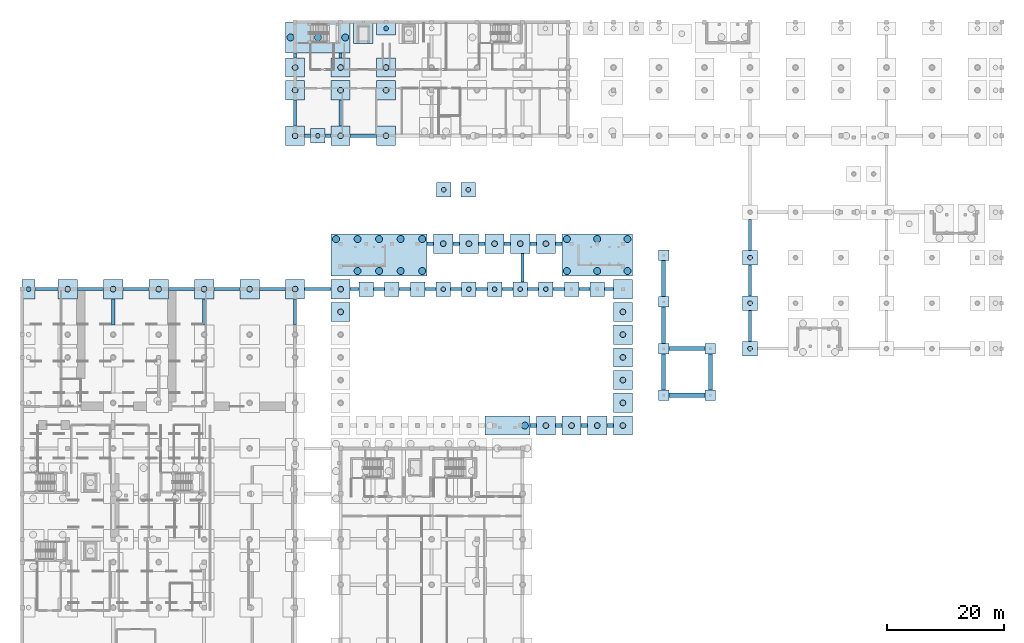
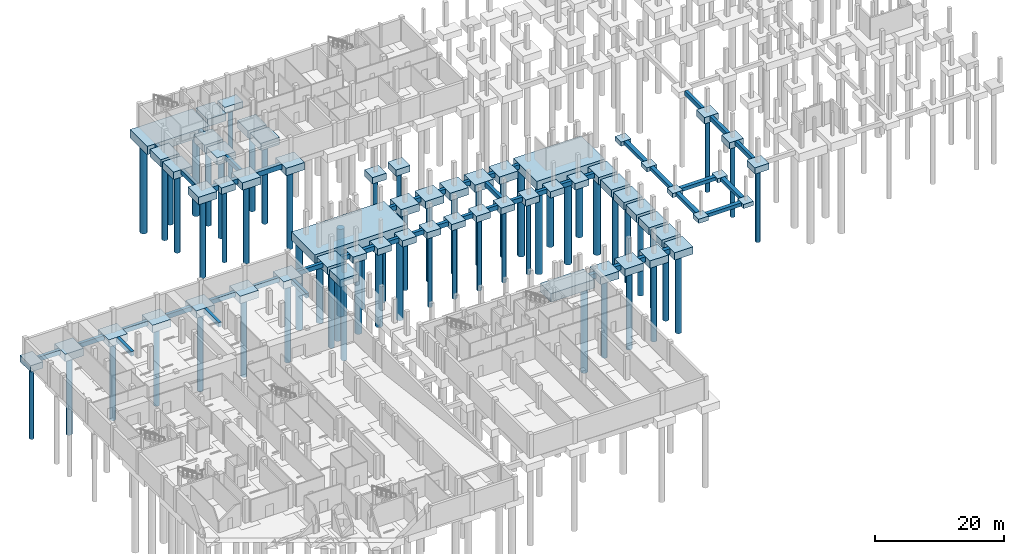
# One storey, part 3 of 24: 109 footings, 63 piles.
"""IFC4 building model written with IfcOpenShell, lengths in metres."""

from ifc_helpers import new_model, si_unit, direction, frame, origin, origin_2d, place, context, subcontext, project, spatial, rectangle, circle, extrude, material, material_profile, profile_set, type_object, element, save


model = new_model("IFC4")

# Units and contexts
model_context = context("Model", 3, precision=1e-05, world=origin(), true_north=direction((0.0, 1.0)))
body_context = subcontext(model_context, "Body", "Model", "MODEL_VIEW")
ifc_project = project(units=[si_unit("LENGTHUNIT", "METRE"), si_unit("AREAUNIT", "SQUARE_METRE"), si_unit("VOLUMEUNIT", "CUBIC_METRE"), si_unit("PLANEANGLEUNIT", "RADIAN"), si_unit("MASSUNIT", "GRAM", prefix="KILO")], contexts=[model_context])

# Site, building, storey
site_placement = place(None, origin())
site = spatial("IfcSite", under=ifc_project, at=site_placement, CompositionType="ELEMENT")
building_placement = place(site_placement, origin())
building = spatial("IfcBuilding", under=site, at=building_placement, Name="Celorna Specialist Clinic", CompositionType="ELEMENT")
storey_placement = place(building_placement, frame((0.0, 0.0, -4.5)))
storey = spatial("IfcBuildingStorey", under=building, at=storey_placement, Name="B01", CompositionType="ELEMENT", Elevation=-4.5)

# Footings
ifc_material = material(Name="Concrete C35/45", Category="concrete")
footing_type_1 = type_object("IfcFootingType", Name="FB-01", PredefinedType="FOOTING_BEAM", material=ifc_material)
footing_1_placement = place(storey_placement, frame((4.175048828125, 70.199951171875, -0.85009765625), z_axis=(0.0, 0.0, 1.0), x_axis=(1.0, 0.0, 0.0)))
element("IfcFooting", 1, at=footing_1_placement, inside=storey, type_object=footing_type_1, Name="Foundation tie beam FB-01 #55", PredefinedType="FOOTING_BEAM", context=body_context, shape_type="SweptSolid", body=[
    extrude(rectangle(XDim=3.949951171875, YDim=0.550048828125, at=origin_2d()), origin(), (0.0, 0.0, 1.0), 0.85009765625),
])
for number, where, z_axis, x_axis, name in (
    (2, (11.699951171875, 70.199951171875, -0.85009765625), (0.0, 0.0, 1.0), (1.0, 0.0, 0.0), "Foundation tie beam FB-01 #56"),
    (3, (19.5, 70.199951171875, -0.85009765625), (0.0, 0.0, 1.0), (1.0, 0.0, 0.0), "Foundation tie beam FB-01 #57"),
    (4, (27.300048828125, 70.199951171875, -0.85009765625), (0.0, 0.0, 1.0), (1.0, 0.0, 0.0), "Foundation tie beam FB-01 #58"),
    (5, (35.10009765625, 70.199951171875, -0.85009765625), (0.0, 0.0, 1.0), (1.0, 0.0, 0.0), "Foundation tie beam FB-01 #59"),
    (6, (42.89990234375, 70.199951171875, -0.85009765625), (0.0, 0.0, 1.0), (1.0, 0.0, 0.0), "Foundation tie beam FB-01 #60"),
    (7, (50.699951171875, 70.199951171875, -0.85009765625), (0.0, 0.0, 1.0), (1.0, 0.0, 0.0), "Foundation tie beam FB-01 #61"),
):
    element("IfcFooting", number, at=place(storey_placement, frame(where, z_axis=z_axis, x_axis=x_axis)), inside=storey, type_object=footing_type_1, Name=name, PredefinedType="FOOTING_BEAM", context=body_context, shape_type="SweptSolid", body=[
        extrude(rectangle(XDim=4.5, YDim=0.550048828125, at=origin_2d()), origin(), (0.0, 0.0, 1.0), 0.85009765625),
    ])
footing_2_placement = place(storey_placement, frame((57.0, 70.199951171875, -0.85009765625), z_axis=(0.0, 0.0, 1.0), x_axis=(1.0, 0.0, 0.0)))
element("IfcFooting", 8, at=footing_2_placement, inside=storey, type_object=footing_type_1, Name="Foundation tie beam FB-01 #62", PredefinedType="FOOTING_BEAM", context=body_context, shape_type="SweptSolid", body=[
    extrude(rectangle(XDim=1.5, YDim=0.550048828125, at=origin_2d()), origin(), (0.0, 0.0, 1.0), 0.85009765625),
])
for number, where, z_axis, x_axis, name in (
    (9, (61.199951171875, 70.199951171875, -0.85009765625), (0.0, 0.0, 1.0), (1.0, 0.0, 0.0), "Foundation tie beam FB-01 #63"),
    (10, (65.60009765625, 70.199951171875, -0.85009765625), (0.0, 0.0, 1.0), (1.0, 0.0, 0.0), "Foundation tie beam FB-01 #64"),
    (11, (70.0, 70.199951171875, -0.85009765625), (0.0, 0.0, 1.0), (1.0, 0.0, 0.0), "Foundation tie beam FB-01 #65"),
    (12, (74.39990234375, 70.199951171875, -0.85009765625), (0.0, 0.0, 1.0), (1.0, 0.0, 0.0), "Foundation tie beam FB-01 #66"),
    (13, (78.800048828125, 70.199951171875, -0.85009765625), (0.0, 0.0, 1.0), (1.0, 0.0, 0.0), "Foundation tie beam FB-01 #67"),
    (14, (83.199951171875, 70.199951171875, -0.85009765625), (0.0, 0.0, 1.0), (1.0, 0.0, 0.0), "Foundation tie beam FB-01 #68"),
    (15, (87.60009765625, 70.199951171875, -0.85009765625), (0.0, 0.0, 1.0), (1.0, 0.0, 0.0), "Foundation tie beam FB-01 #69"),
    (16, (92.0, 70.199951171875, -0.85009765625), (0.0, 0.0, 1.0), (1.0, 0.0, 0.0), "Foundation tie beam FB-01 #70"),
    (17, (96.39990234375, 70.199951171875, -0.85009765625), (0.0, 0.0, 1.0), (1.0, 0.0, 0.0), "Foundation tie beam FB-01 #71"),
):
    element("IfcFooting", number, at=place(storey_placement, frame(where, z_axis=z_axis, x_axis=x_axis)), inside=storey, type_object=footing_type_1, Name=name, PredefinedType="FOOTING_BEAM", context=body_context, shape_type="SweptSolid", body=[
        extrude(rectangle(XDim=1.89990234375, YDim=0.550048828125, at=origin_2d()), origin(), (0.0, 0.0, 1.0), 0.85009765625),
    ])
footing_3_placement = place(storey_placement, frame((100.60009765625, 70.199951171875, -0.85009765625), z_axis=(0.0, 0.0, 1.0), x_axis=(1.0, 0.0, 0.0)))
element("IfcFooting", 18, at=footing_3_placement, inside=storey, type_object=footing_type_1, Name="Foundation tie beam FB-01 #72", PredefinedType="FOOTING_BEAM", context=body_context, shape_type="SweptSolid", body=[
    extrude(rectangle(XDim=1.5, YDim=0.550048828125, at=origin_2d()), origin(), (0.0, 0.0, 1.0), 0.85009765625),
])
for number, where, z_axis, x_axis, name in (
    (19, (70.0, 78.0, -0.85009765625), (0.0, 0.0, 1.0), (1.0, 0.0, 0.0), "Foundation tie beam FB-01 #73"),
    (20, (74.39990234375, 78.0, -0.85009765625), (0.0, 0.0, 1.0), (1.0, 0.0, 0.0), "Foundation tie beam FB-01 #74"),
    (21, (78.800048828125, 78.0, -0.85009765625), (0.0, 0.0, 1.0), (1.0, 0.0, 0.0), "Foundation tie beam FB-01 #75"),
    (22, (83.199951171875, 78.0, -0.85009765625), (0.0, 0.0, 1.0), (1.0, 0.0, 0.0), "Foundation tie beam FB-01 #76"),
    (23, (87.60009765625, 78.0, -0.85009765625), (0.0, 0.0, 1.0), (1.0, 0.0, 0.0), "Foundation tie beam FB-01 #77"),
    (24, (92.0, 78.0, -0.85009765625), (0.0, 0.0, 1.0), (1.0, 0.0, 0.0), "Foundation tie beam FB-01 #78"),
):
    element("IfcFooting", number, at=place(storey_placement, frame(where, z_axis=z_axis, x_axis=x_axis)), inside=storey, type_object=footing_type_1, Name=name, PredefinedType="FOOTING_BEAM", context=body_context, shape_type="SweptSolid", body=[
        extrude(rectangle(XDim=1.10009765625, YDim=0.550048828125, at=origin_2d()), origin(), (0.0, 0.0, 1.0), 0.85009765625),
    ])
for number, where, z_axis, x_axis, name in (
    (25, (15.60009765625, 66.300048828125, -0.85009765625), (0.0, 0.0, 1.0), (0.0, 1.0, 0.0), "Foundation tie beam FB-01 #107"),
    (26, (31.199951171875, 66.300048828125, -0.85009765625), (0.0, 0.0, 1.0), (0.0, 1.0, 0.0), "Foundation tie beam FB-01 #114"),
    (27, (46.800048828125, 66.300048828125, -0.85009765625), (0.0, 0.0, 1.0), (0.0, 1.0, 0.0), "Foundation tie beam FB-01 #121"),
    (28, (46.800048828125, 100.39990234375, -0.85009765625), (0.0, 0.0, 1.0), (0.0, 1.0, 0.0), "Foundation tie beam FB-01 #122"),
):
    element("IfcFooting", number, at=place(storey_placement, frame(where, z_axis=z_axis, x_axis=x_axis)), inside=storey, type_object=footing_type_1, Name=name, PredefinedType="FOOTING_BEAM", context=body_context, shape_type="SweptSolid", body=[
        extrude(rectangle(XDim=4.5, YDim=0.550048828125, at=origin_2d()), origin(), (0.0, 0.0, 1.0), 0.85009765625),
    ])
footing_4_placement = place(storey_placement, frame((46.800048828125, 110.284912109375, -0.85009765625), z_axis=(0.0, 0.0, 1.0), x_axis=(0.0, 1.0, 0.0)))
element("IfcFooting", 29, at=footing_4_placement, inside=storey, type_object=footing_type_1, Name="Foundation tie beam FB-01 #123", PredefinedType="FOOTING_BEAM", context=body_context, shape_type="SweptSolid", body=[
    extrude(rectangle(XDim=0.8701171875, YDim=0.550048828125, at=origin_2d()), origin(), (0.0, 0.0, 1.0), 0.85009765625),
])
footing_5_placement = place(storey_placement, frame((54.60009765625, 100.39990234375, -0.85009765625), z_axis=(0.0, 0.0, 1.0), x_axis=(0.0, 1.0, 0.0)))
element("IfcFooting", 30, at=footing_5_placement, inside=storey, type_object=footing_type_1, Name="Foundation tie beam FB-01 #127", PredefinedType="FOOTING_BEAM", context=body_context, shape_type="SweptSolid", body=[
    extrude(rectangle(XDim=4.5, YDim=0.550048828125, at=origin_2d()), origin(), (0.0, 0.0, 1.0), 0.85009765625),
])
footing_6_placement = place(storey_placement, frame((54.60009765625, 110.284912109375, -0.85009765625), z_axis=(0.0, 0.0, 1.0), x_axis=(0.0, 1.0, 0.0)))
element("IfcFooting", 31, at=footing_6_placement, inside=storey, type_object=footing_type_1, Name="Foundation tie beam FB-01 #128", PredefinedType="FOOTING_BEAM", context=body_context, shape_type="SweptSolid", body=[
    extrude(rectangle(XDim=0.8701171875, YDim=0.550048828125, at=origin_2d()), origin(), (0.0, 0.0, 1.0), 0.85009765625),
])
footing_7_placement = place(storey_placement, frame((85.800048828125, 73.89990234375, -0.85009765625), z_axis=(0.0, 0.0, 1.0), x_axis=(0.0, 1.0, 0.0)))
element("IfcFooting", 32, at=footing_7_placement, inside=storey, type_object=footing_type_1, Name="Foundation tie beam FB-01 #137", PredefinedType="FOOTING_BEAM", context=body_context, shape_type="SweptSolid", body=[
    extrude(rectangle(XDim=4.89990234375, YDim=0.550048828125, at=origin_2d()), origin(), (0.0, 0.0, 1.0), 0.85009765625),
])
for number, where, z_axis, x_axis, name in (
    (33, (124.800048828125, 63.89990234375, -0.85009765625), (0.0, 0.0, 1.0), (0.0, 1.0, 0.0), "Foundation tie beam FB-01 #140"),
    (34, (124.800048828125, 71.699951171875, -0.85009765625), (0.0, 0.0, 1.0), (0.0, 1.0, 0.0), "Foundation tie beam FB-01 #141"),
    (35, (124.800048828125, 79.5, -0.85009765625), (0.0, 0.0, 1.0), (0.0, 1.0, 0.0), "Foundation tie beam FB-01 #142"),
):
    element("IfcFooting", number, at=place(storey_placement, frame(where, z_axis=z_axis, x_axis=x_axis)), inside=storey, type_object=footing_type_1, Name=name, PredefinedType="FOOTING_BEAM", context=body_context, shape_type="SweptSolid", body=[
        extrude(rectangle(XDim=5.300048828125, YDim=0.550048828125, at=origin_2d()), origin(), (0.0, 0.0, 1.0), 0.85009765625),
    ])
footing_type_2 = type_object("IfcFootingType", Name="FB-02", PredefinedType="FOOTING_BEAM", material=ifc_material)
for number, where, z_axis, x_axis, name in (
    (36, (87.60009765625, 46.800048828125, -0.9501953125), (0.0, 0.0, 1.0), (1.0, 0.0, 0.0), "Foundation tie beam FB-02 #47"),
    (37, (92.0, 46.800048828125, -0.9501953125), (0.0, 0.0, 1.0), (1.0, 0.0, 0.0), "Foundation tie beam FB-02 #48"),
    (38, (96.39990234375, 46.800048828125, -0.9501953125), (0.0, 0.0, 1.0), (1.0, 0.0, 0.0), "Foundation tie beam FB-02 #49"),
    (39, (100.800048828125, 46.800048828125, -0.9501953125), (0.0, 0.0, 1.0), (1.0, 0.0, 0.0), "Foundation tie beam FB-02 #50"),
):
    element("IfcFooting", number, at=place(storey_placement, frame(where, z_axis=z_axis, x_axis=x_axis)), inside=storey, type_object=footing_type_2, Name=name, PredefinedType="FOOTING_BEAM", context=body_context, shape_type="SweptSolid", body=[
        extrude(rectangle(XDim=1.10009765625, YDim=0.64990234375, at=origin_2d()), origin(), (0.0, 0.0, 1.0), 0.949951171875),
    ])
for number, where, z_axis, x_axis, name in (
    (40, (48.949951171875, 96.5, -0.9501953125), (0.0, 0.0, 1.0), (1.0, 0.0, 0.0), "Foundation tie beam FB-02 #83"),
    (41, (52.449951171875, 96.5, -0.9501953125), (0.0, 0.0, 1.0), (1.0, 0.0, 0.0), "Foundation tie beam FB-02 #84"),
):
    element("IfcFooting", number, at=place(storey_placement, frame(where, z_axis=z_axis, x_axis=x_axis)), inside=storey, type_object=footing_type_2, Name=name, PredefinedType="FOOTING_BEAM", context=body_context, shape_type="SweptSolid", body=[
        extrude(rectangle(XDim=1.0, YDim=0.64990234375, at=origin_2d()), origin(), (0.0, 0.0, 1.0), 0.949951171875),
    ])
footing_8_placement = place(storey_placement, frame((58.5, 96.5, -0.9501953125), z_axis=(0.0, 0.0, 1.0), x_axis=(1.0, 0.0, 0.0)))
element("IfcFooting", 42, at=footing_8_placement, inside=storey, type_object=footing_type_2, Name="Foundation tie beam FB-02 #85", PredefinedType="FOOTING_BEAM", context=body_context, shape_type="SweptSolid", body=[
    extrude(rectangle(XDim=4.5, YDim=0.64990234375, at=origin_2d()), origin(), (0.0, 0.0, 1.0), 0.949951171875),
])

# Piles
ifc_material_profile_1 = material_profile(ifc_material, circle(Radius=0.39990234375, at=origin_2d()), Name="BORED PILE 800")
ifc_profile_set_1 = profile_set([ifc_material_profile_1], Name="Concrete C35/45")
pile_type_1 = type_object("IfcPileType", Name="P1", PredefinedType="BORED", material=ifc_profile_set_1)
for number, where, z_axis, x_axis, name in (
    (43, (1.10009765625, 70.199951171875, -1.10009765625), (0.0, 0.0, -1.0), (1.0, 0.0, 0.0), "Bored pile P1 #11"),
    (44, (50.699951171875, 96.5, -1.10009765625), (0.0, 0.0, -1.0), (1.0, 0.0, 0.0), "Bored pile P1 #95"),
    (45, (62.39990234375, 114.89990234375, -1.10009765625), (0.0, 0.0, -1.0), (1.0, 0.0, 0.0), "Bored pile P1 #132"),
    (46, (72.199951171875, 70.199951171875, -1.10009765625), (0.0, 0.0, -1.0), (1.0, 0.0, 0.0), "Bored pile P1 #148"),
    (47, (72.300048828125, 87.25, -1.10009765625), (0.0, 0.0, -1.0), (1.0, 0.0, 0.0), "Bored pile P1 #149"),
    (48, (76.5, 87.25, -1.10009765625), (0.0, 0.0, -1.0), (1.0, 0.0, 0.0), "Bored pile P1 #154"),
    (49, (76.60009765625, 70.199951171875, -1.10009765625), (0.0, 0.0, -1.0), (1.0, 0.0, 0.0), "Bored pile P1 #156"),
    (50, (81.0, 70.199951171875, -1.10009765625), (0.0, 0.0, -1.0), (1.0, 0.0, 0.0), "Bored pile P1 #167"),
    (51, (85.39990234375, 70.199951171875, -1.10009765625), (0.0, 0.0, -1.0), (1.0, 0.0, 0.0), "Bored pile P1 #177"),
    (52, (89.800048828125, 70.199951171875, -1.10009765625), (0.0, 0.0, -1.0), (1.0, 0.0, 0.0), "Bored pile P1 #184"),
    (53, (124.800048828125, 60.0, -1.10009765625), (0.0, 0.0, -1.0), (1.0, 0.0, 0.0), "Bored pile P1 #224"),
    (54, (124.800048828125, 67.800048828125, -1.10009765625), (0.0, 0.0, -1.0), (1.0, 0.0, 0.0), "Bored pile P1 #225"),
    (55, (124.800048828125, 75.60009765625, -1.10009765625), (0.0, 0.0, -1.0), (1.0, 0.0, 0.0), "Bored pile P1 #226"),
):
    element("IfcPile", number, at=place(storey_placement, frame(where, z_axis=z_axis, x_axis=x_axis)), inside=storey, type_object=pile_type_1, Name=name, PredefinedType="BORED", context=body_context, shape_type="SweptSolid", body=[
        extrude(circle(Radius=0.39990234375, at=origin_2d()), origin(), (0.0, 0.0, 1.0), 13.89990234375),
    ])
ifc_material_profile_2 = material_profile(ifc_material, circle(Radius=0.5, at=origin_2d()), Name="BORED PILE 1000")
ifc_profile_set_2 = profile_set([ifc_material_profile_2], Name="Concrete C35/45")
pile_type_2 = type_object("IfcPileType", Name="P2", PredefinedType="BORED", material=ifc_profile_set_2)
for number, where, z_axis, x_axis, name in (
    (56, (7.800048828125, 70.199951171875, -1.300048828125), (0.0, 0.0, -1.0), (1.0, 0.0, 0.0), "Bored pile P2 #22"),
    (57, (15.60009765625, 70.199951171875, -1.300048828125), (0.0, 0.0, -1.0), (1.0, 0.0, 0.0), "Bored pile P2 #35"),
    (58, (23.39990234375, 70.199951171875, -1.300048828125), (0.0, 0.0, -1.0), (1.0, 0.0, 0.0), "Bored pile P2 #53"),
    (59, (31.199951171875, 70.199951171875, -1.300048828125), (0.0, 0.0, -1.0), (1.0, 0.0, 0.0), "Bored pile P2 #65"),
    (60, (39.0, 70.199951171875, -1.300048828125), (0.0, 0.0, -1.0), (1.0, 0.0, 0.0), "Bored pile P2 #76"),
    (61, (46.800048828125, 70.199951171875, -1.300048828125), (0.0, 0.0, -1.0), (1.0, 0.0, 0.0), "Bored pile P2 #88"),
    (62, (46.800048828125, 96.5, -1.300048828125), (0.0, 0.0, -1.0), (1.0, 0.0, 0.0), "Bored pile P2 #89"),
    (63, (46.800048828125, 104.300048828125, -1.300048828125), (0.0, 0.0, -1.0), (1.0, 0.0, 0.0), "Bored pile P2 #90"),
    (64, (46.800048828125, 108.199951171875, -1.300048828125), (0.0, 0.0, -1.0), (1.0, 0.0, 0.0), "Bored pile P2 #91"),
    (65, (54.60009765625, 66.300048828125, -1.300048828125), (0.0, 0.0, -1.0), (1.0, 0.0, 0.0), "Bored pile P2 #109"),
    (66, (54.60009765625, 70.199951171875, -1.300048828125), (0.0, 0.0, -1.0), (1.0, 0.0, 0.0), "Bored pile P2 #110"),
    (67, (54.60009765625, 96.5, -1.300048828125), (0.0, 0.0, -1.0), (1.0, 0.0, 0.0), "Bored pile P2 #120"),
    (68, (54.60009765625, 104.300048828125, -1.300048828125), (0.0, 0.0, -1.0), (1.0, 0.0, 0.0), "Bored pile P2 #121"),
    (69, (54.60009765625, 108.199951171875, -1.300048828125), (0.0, 0.0, -1.0), (1.0, 0.0, 0.0), "Bored pile P2 #122"),
    (70, (62.39990234375, 96.5, -1.300048828125), (0.0, 0.0, -1.0), (1.0, 0.0, 0.0), "Bored pile P2 #129"),
    (71, (62.39990234375, 104.300048828125, -1.300048828125), (0.0, 0.0, -1.0), (1.0, 0.0, 0.0), "Bored pile P2 #130"),
    (72, (62.39990234375, 108.199951171875, -1.300048828125), (0.0, 0.0, -1.0), (1.0, 0.0, 0.0), "Bored pile P2 #131"),
    (73, (72.199951171875, 78.0, -1.300048828125), (0.0, 0.0, -1.0), (1.0, 0.0, 0.0), "Bored pile P2 #147"),
    (74, (76.60009765625, 78.0, -1.300048828125), (0.0, 0.0, -1.0), (1.0, 0.0, 0.0), "Bored pile P2 #153"),
    (75, (81.0, 78.0, -1.300048828125), (0.0, 0.0, -1.0), (1.0, 0.0, 0.0), "Bored pile P2 #166"),
    (76, (85.39990234375, 78.0, -1.300048828125), (0.0, 0.0, -1.0), (1.0, 0.0, 0.0), "Bored pile P2 #172"),
    (77, (89.800048828125, 46.800048828125, -1.300048828125), (0.0, 0.0, -1.0), (1.0, 0.0, 0.0), "Bored pile P2 #181"),
    (78, (89.800048828125, 78.0, -1.300048828125), (0.0, 0.0, -1.0), (1.0, 0.0, 0.0), "Bored pile P2 #182"),
    (79, (94.199951171875, 46.800048828125, -1.300048828125), (0.0, 0.0, -1.0), (1.0, 0.0, 0.0), "Bored pile P2 #189"),
    (80, (98.60009765625, 46.800048828125, -1.300048828125), (0.0, 0.0, -1.0), (1.0, 0.0, 0.0), "Bored pile P2 #198"),
    (81, (103.0, 46.800048828125, -1.300048828125), (0.0, 0.0, -1.0), (1.0, 0.0, 0.0), "Bored pile P2 #203"),
    (82, (103.0, 50.699951171875, -1.300048828125), (0.0, 0.0, -1.0), (1.0, 0.0, 0.0), "Bored pile P2 #204"),
    (83, (103.0, 54.60009765625, -1.300048828125), (0.0, 0.0, -1.0), (1.0, 0.0, 0.0), "Bored pile P2 #205"),
    (84, (103.0, 58.5, -1.300048828125), (0.0, 0.0, -1.0), (1.0, 0.0, 0.0), "Bored pile P2 #206"),
    (85, (103.0, 62.39990234375, -1.300048828125), (0.0, 0.0, -1.0), (1.0, 0.0, 0.0), "Bored pile P2 #207"),
    (86, (103.0, 66.300048828125, -1.300048828125), (0.0, 0.0, -1.0), (1.0, 0.0, 0.0), "Bored pile P2 #208"),
):
    element("IfcPile", number, at=place(storey_placement, frame(where, z_axis=z_axis, x_axis=x_axis)), inside=storey, type_object=pile_type_2, Name=name, PredefinedType="BORED", context=body_context, shape_type="SweptSolid", body=[
        extrude(circle(Radius=0.5, at=origin_2d()), origin(), (0.0, 0.0, 1.0), 15.199951171875),
    ])
ifc_material_profile_3 = material_profile(ifc_material, circle(Radius=0.60009765625, at=origin_2d()), Name="BORED PILE 1200")
ifc_profile_set_3 = profile_set([ifc_material_profile_3], Name="Concrete C35/45")
pile_type_3 = type_object("IfcPileType", Name="P3", PredefinedType="BORED", material=ifc_profile_set_3)
for number, where, z_axis, x_axis, name in (
    (87, (46.010009765625, 113.360107421875, -1.5), (0.0, 0.0, -1.0), (1.0, 0.0, 0.0), "Bored pile P3 #92"),
    (88, (50.699951171875, 113.360107421875, -1.5), (0.0, 0.0, -1.0), (1.0, 0.0, 0.0), "Bored pile P3 #93"),
    (89, (55.389892578125, 113.360107421875, -1.5), (0.0, 0.0, -1.0), (1.0, 0.0, 0.0), "Bored pile P3 #94"),
    (90, (53.81005859375, 78.7900390625, -1.5), (0.0, 0.0, -1.0), (1.0, 0.0, 0.0), "Bored pile P3 #111"),
    (91, (57.5048828125, 73.31005859375, -1.5), (0.0, 0.0, -1.0), (1.0, 0.0, 0.0), "Bored pile P3 #112"),
    (92, (57.5048828125, 78.7900390625, -1.5), (0.0, 0.0, -1.0), (1.0, 0.0, 0.0), "Bored pile P3 #113"),
    (93, (61.199951171875, 73.31005859375, -1.5), (0.0, 0.0, -1.0), (1.0, 0.0, 0.0), "Bored pile P3 #114"),
    (94, (61.199951171875, 78.7900390625, -1.5), (0.0, 0.0, -1.0), (1.0, 0.0, 0.0), "Bored pile P3 #115"),
    (95, (64.89501953125, 73.31005859375, -1.5), (0.0, 0.0, -1.0), (1.0, 0.0, 0.0), "Bored pile P3 #116"),
    (96, (64.89501953125, 78.7900390625, -1.5), (0.0, 0.0, -1.0), (1.0, 0.0, 0.0), "Bored pile P3 #117"),
    (97, (68.590087890625, 73.31005859375, -1.5), (0.0, 0.0, -1.0), (1.0, 0.0, 0.0), "Bored pile P3 #118"),
    (98, (68.590087890625, 78.7900390625, -1.5), (0.0, 0.0, -1.0), (1.0, 0.0, 0.0), "Bored pile P3 #119"),
    (99, (86.18994140625, 46.800048828125, -1.5), (0.0, 0.0, -1.0), (1.0, 0.0, 0.0), "Bored pile P3 #165"),
    (100, (93.409912109375, 73.31005859375, -1.5), (0.0, 0.0, -1.0), (1.0, 0.0, 0.0), "Bored pile P3 #190"),
    (101, (93.409912109375, 78.7900390625, -1.5), (0.0, 0.0, -1.0), (1.0, 0.0, 0.0), "Bored pile P3 #191"),
    (102, (98.60009765625, 73.31005859375, -1.5), (0.0, 0.0, -1.0), (1.0, 0.0, 0.0), "Bored pile P3 #192"),
    (103, (98.60009765625, 78.7900390625, -1.5), (0.0, 0.0, -1.0), (1.0, 0.0, 0.0), "Bored pile P3 #193"),
    (104, (103.7900390625, 73.31005859375, -1.5), (0.0, 0.0, -1.0), (1.0, 0.0, 0.0), "Bored pile P3 #194"),
    (105, (103.7900390625, 78.7900390625, -1.5), (0.0, 0.0, -1.0), (1.0, 0.0, 0.0), "Bored pile P3 #195"),
):
    element("IfcPile", number, at=place(storey_placement, frame(where, z_axis=z_axis, x_axis=x_axis)), inside=storey, type_object=pile_type_3, Name=name, PredefinedType="BORED", context=body_context, shape_type="SweptSolid", body=[
        extrude(circle(Radius=0.60009765625, at=origin_2d()), origin(), (0.0, 0.0, 1.0), 16.5),
    ])

# Footings
footing_type_3 = type_object("IfcFootingType", Name="PC-02", PredefinedType="PILE_CAP", material=ifc_material)
footing_9_placement = place(storey_placement, frame((1.10009765625, 70.199951171875, -1.2001953125), z_axis=(0.0, 0.0, 1.0), x_axis=(1.0, 0.0, 0.0)))
element("IfcFooting", 106, at=footing_9_placement, inside=storey, type_object=footing_type_3, Name="Pile cap PC-02 #10", PredefinedType="PILE_CAP", context=body_context, shape_type="SweptSolid", body=[
    extrude(rectangle(XDim=2.199951171875, YDim=3.300048828125, at=origin_2d()), origin(), (0.0, 0.0, 1.0), 1.199951171875),
])
footing_10_placement = place(storey_placement, frame((62.39990234375, 114.89990234375, -1.2001953125), z_axis=(0.0, 0.0, 1.0), x_axis=(1.0, 0.0, 0.0)))
element("IfcFooting", 107, at=footing_10_placement, inside=storey, type_object=footing_type_3, Name="Pile cap PC-02 #107", PredefinedType="PILE_CAP", context=body_context, shape_type="SweptSolid", body=[
    extrude(rectangle(XDim=3.300048828125, YDim=2.199951171875, at=origin_2d()), origin(), (0.0, 0.0, 1.0), 1.199951171875),
])
footing_type_4 = type_object("IfcFootingType", Name="PC-08", PredefinedType="PILE_CAP", material=ifc_material)
for number, where, z_axis, x_axis, name in (
    (108, (7.800048828125, 70.199951171875, -1.39990234375), (0.0, 0.0, 1.0), (1.0, 0.0, 0.0), "Pile cap PC-08 #20"),
    (109, (15.60009765625, 70.199951171875, -1.39990234375), (0.0, 0.0, 1.0), (1.0, 0.0, 0.0), "Pile cap PC-08 #33"),
    (110, (23.39990234375, 70.199951171875, -1.39990234375), (0.0, 0.0, 1.0), (1.0, 0.0, 0.0), "Pile cap PC-08 #44"),
    (111, (31.199951171875, 70.199951171875, -1.39990234375), (0.0, 0.0, 1.0), (1.0, 0.0, 0.0), "Pile cap PC-08 #54"),
    (112, (39.0, 70.199951171875, -1.39990234375), (0.0, 0.0, 1.0), (1.0, 0.0, 0.0), "Pile cap PC-08 #65"),
    (113, (46.800048828125, 70.199951171875, -1.39990234375), (0.0, 0.0, 1.0), (1.0, 0.0, 0.0), "Pile cap PC-08 #76"),
    (114, (46.800048828125, 96.5, -1.39990234375), (0.0, 0.0, 1.0), (1.0, 0.0, 0.0), "Pile cap PC-08 #77"),
    (115, (46.800048828125, 104.300048828125, -1.39990234375), (0.0, 0.0, 1.0), (1.0, 0.0, 0.0), "Pile cap PC-08 #78"),
    (116, (46.800048828125, 108.199951171875, -1.39990234375), (0.0, 0.0, 1.0), (1.0, 0.0, 0.0), "Pile cap PC-08 #79"),
    (117, (54.60009765625, 66.300048828125, -1.39990234375), (0.0, 0.0, 1.0), (1.0, 0.0, 0.0), "Pile cap PC-08 #91"),
    (118, (54.60009765625, 70.199951171875, -1.39990234375), (0.0, 0.0, 1.0), (1.0, 0.0, 0.0), "Pile cap PC-08 #92"),
    (119, (54.60009765625, 96.5, -1.39990234375), (0.0, 0.0, 1.0), (1.0, 0.0, 0.0), "Pile cap PC-08 #94"),
    (120, (54.60009765625, 104.300048828125, -1.39990234375), (0.0, 0.0, 1.0), (1.0, 0.0, 0.0), "Pile cap PC-08 #95"),
    (121, (54.60009765625, 108.199951171875, -1.39990234375), (0.0, 0.0, 1.0), (1.0, 0.0, 0.0), "Pile cap PC-08 #96"),
    (122, (62.39990234375, 96.5, -1.39990234375), (0.0, 0.0, 1.0), (1.0, 0.0, 0.0), "Pile cap PC-08 #104"),
    (123, (62.39990234375, 104.300048828125, -1.39990234375), (0.0, 0.0, 1.0), (1.0, 0.0, 0.0), "Pile cap PC-08 #105"),
    (124, (62.39990234375, 108.199951171875, -1.39990234375), (0.0, 0.0, 1.0), (1.0, 0.0, 0.0), "Pile cap PC-08 #106"),
    (125, (72.199951171875, 78.0, -1.39990234375), (0.0, 0.0, 1.0), (1.0, 0.0, 0.0), "Pile cap PC-08 #121"),
    (126, (76.60009765625, 78.0, -1.39990234375), (0.0, 0.0, 1.0), (1.0, 0.0, 0.0), "Pile cap PC-08 #126"),
    (127, (81.0, 78.0, -1.39990234375), (0.0, 0.0, 1.0), (1.0, 0.0, 0.0), "Pile cap PC-08 #137"),
    (128, (85.39990234375, 78.0, -1.39990234375), (0.0, 0.0, 1.0), (1.0, 0.0, 0.0), "Pile cap PC-08 #142"),
    (129, (89.800048828125, 46.800048828125, -1.39990234375), (0.0, 0.0, 1.0), (1.0, 0.0, 0.0), "Pile cap PC-08 #151"),
    (130, (89.800048828125, 78.0, -1.39990234375), (0.0, 0.0, 1.0), (1.0, 0.0, 0.0), "Pile cap PC-08 #152"),
    (131, (94.199951171875, 46.800048828125, -1.39990234375), (0.0, 0.0, 1.0), (1.0, 0.0, 0.0), "Pile cap PC-08 #159"),
    (132, (98.60009765625, 46.800048828125, -1.39990234375), (0.0, 0.0, 1.0), (1.0, 0.0, 0.0), "Pile cap PC-08 #164"),
    (133, (103.0, 46.800048828125, -1.39990234375), (0.0, 0.0, 1.0), (1.0, 0.0, 0.0), "Pile cap PC-08 #170"),
    (134, (103.0, 50.699951171875, -1.39990234375), (0.0, 0.0, 1.0), (1.0, 0.0, 0.0), "Pile cap PC-08 #171"),
    (135, (103.0, 54.60009765625, -1.39990234375), (0.0, 0.0, 1.0), (1.0, 0.0, 0.0), "Pile cap PC-08 #172"),
    (136, (103.0, 58.5, -1.39990234375), (0.0, 0.0, 1.0), (1.0, 0.0, 0.0), "Pile cap PC-08 #173"),
    (137, (103.0, 62.39990234375, -1.39990234375), (0.0, 0.0, 1.0), (1.0, 0.0, 0.0), "Pile cap PC-08 #174"),
    (138, (103.0, 66.300048828125, -1.39990234375), (0.0, 0.0, 1.0), (1.0, 0.0, 0.0), "Pile cap PC-08 #175"),
    (139, (103.0, 70.199951171875, -1.39990234375), (0.0, 0.0, 1.0), (1.0, 0.0, 0.0), "Pile cap PC-08 #176"),
):
    element("IfcFooting", number, at=place(storey_placement, frame(where, z_axis=z_axis, x_axis=x_axis)), inside=storey, type_object=footing_type_4, Name=name, PredefinedType="PILE_CAP", context=body_context, shape_type="SweptSolid", body=[
        extrude(rectangle(XDim=3.300048828125, YDim=3.300048828125, at=origin_2d()), origin(), (0.0, 0.0, 1.0), 1.39990234375),
    ])
footing_type_5 = type_object("IfcFootingType", Name="PC-20", PredefinedType="PILE_CAP", material=ifc_material)
footing_11_placement = place(storey_placement, frame((50.699951171875, 113.360107421875, -1.60009765625), z_axis=(0.0, 0.0, 1.0), x_axis=(1.0, 0.0, 0.0)))
element("IfcFooting", 140, at=footing_11_placement, inside=storey, type_object=footing_type_5, Name="Pile cap PC-20 #80", PredefinedType="PILE_CAP", context=body_context, shape_type="SweptSolid", body=[
    extrude(rectangle(XDim=11.10009765625, YDim=5.280029296875, at=origin_2d()), origin(), (0.0, 0.0, 1.0), 1.60009765625),
])
footing_type_6 = type_object("IfcFootingType", Name="PC-21", PredefinedType="PILE_CAP", material=ifc_material)
for number, where, z_axis, x_axis, name in (
    (141, (50.699951171875, 96.5, -1.2001953125), (0.0, 0.0, 1.0), (1.0, 0.0, 0.0), "Pile cap PC-21 #81"),
    (142, (59.0, 70.199951171875, -1.2001953125), (0.0, 0.0, 1.0), (1.0, 0.0, 0.0), "Pile cap PC-21 #99"),
    (143, (63.39990234375, 70.199951171875, -1.2001953125), (0.0, 0.0, 1.0), (1.0, 0.0, 0.0), "Pile cap PC-21 #109"),
    (144, (67.800048828125, 70.199951171875, -1.2001953125), (0.0, 0.0, 1.0), (1.0, 0.0, 0.0), "Pile cap PC-21 #113"),
    (145, (72.199951171875, 70.199951171875, -1.2001953125), (0.0, 0.0, 1.0), (1.0, 0.0, 0.0), "Pile cap PC-21 #122"),
    (146, (72.300048828125, 87.25, -1.2001953125), (0.0, 0.0, 1.0), (1.0, 0.0, 0.0), "Pile cap PC-21 #123"),
    (147, (76.5, 87.25, -1.2001953125), (0.0, 0.0, 1.0), (1.0, 0.0, 0.0), "Pile cap PC-21 #127"),
    (148, (76.60009765625, 70.199951171875, -1.2001953125), (0.0, 0.0, 1.0), (1.0, 0.0, 0.0), "Pile cap PC-21 #129"),
    (149, (81.0, 70.199951171875, -1.2001953125), (0.0, 0.0, 1.0), (1.0, 0.0, 0.0), "Pile cap PC-21 #138"),
    (150, (85.39990234375, 70.199951171875, -1.2001953125), (0.0, 0.0, 1.0), (1.0, 0.0, 0.0), "Pile cap PC-21 #147"),
    (151, (89.800048828125, 70.199951171875, -1.2001953125), (0.0, 0.0, 1.0), (1.0, 0.0, 0.0), "Pile cap PC-21 #154"),
    (152, (94.199951171875, 70.199951171875, -1.2001953125), (0.0, 0.0, 1.0), (1.0, 0.0, 0.0), "Pile cap PC-21 #161"),
    (153, (98.60009765625, 70.199951171875, -1.2001953125), (0.0, 0.0, 1.0), (1.0, 0.0, 0.0), "Pile cap PC-21 #165"),
    (154, (124.800048828125, 60.0, -1.2001953125), (0.0, 0.0, 1.0), (1.0, 0.0, 0.0), "Pile cap PC-21 #192"),
    (155, (124.800048828125, 67.800048828125, -1.2001953125), (0.0, 0.0, 1.0), (1.0, 0.0, 0.0), "Pile cap PC-21 #193"),
    (156, (124.800048828125, 75.60009765625, -1.2001953125), (0.0, 0.0, 1.0), (1.0, 0.0, 0.0), "Pile cap PC-21 #194"),
):
    element("IfcFooting", number, at=place(storey_placement, frame(where, z_axis=z_axis, x_axis=x_axis)), inside=storey, type_object=footing_type_6, Name=name, PredefinedType="PILE_CAP", context=body_context, shape_type="SweptSolid", body=[
        extrude(rectangle(XDim=2.5, YDim=2.5, at=origin_2d()), origin(), (0.0, 0.0, 1.0), 1.199951171875),
    ])
footing_type_7 = type_object("IfcFootingType", Name="PC-23", PredefinedType="PILE_CAP", material=ifc_material)
footing_12_placement = place(storey_placement, frame((61.199951171875, 76.050048828125, -1.60009765625), z_axis=(0.0, 0.0, 1.0), x_axis=(1.0, 0.0, 0.0)))
element("IfcFooting", 157, at=footing_12_placement, inside=storey, type_object=footing_type_7, Name="Pile cap PC-23 #93", PredefinedType="PILE_CAP", context=body_context, shape_type="SweptSolid", body=[
    extrude(rectangle(XDim=16.5, YDim=7.199951171875, at=origin_2d()), origin(), (0.0, 0.0, 1.0), 1.60009765625),
])
footing_type_8 = type_object("IfcFootingType", Name="PC-24", PredefinedType="PILE_CAP", material=ifc_material)
footing_13_placement = place(storey_placement, frame((58.5, 114.175048828125, -1.39990234375), z_axis=(0.0, 0.0, 1.0), x_axis=(1.0, 0.0, 0.0)))
element("IfcFooting", 158, at=footing_13_placement, inside=storey, type_object=footing_type_8, Name="Pile cap PC-24 #97", PredefinedType="PILE_CAP", context=body_context, shape_type="SweptSolid", body=[
    extrude(rectangle(XDim=3.300048828125, YDim=3.64990234375, at=origin_2d()), origin(), (0.0, 0.0, 1.0), 1.39990234375),
])
footing_type_9 = type_object("IfcFootingType", Name="PC-32", PredefinedType="PILE_CAP", material=ifc_material)
footing_14_placement = place(storey_placement, frame((83.199951171875, 46.800048828125, -1.60009765625), z_axis=(0.0, 0.0, 1.0), x_axis=(1.0, 0.0, 0.0)))
element("IfcFooting", 159, at=footing_14_placement, inside=storey, type_object=footing_type_9, Name="Pile cap PC-32 #136", PredefinedType="PILE_CAP", context=body_context, shape_type="SweptSolid", body=[
    extrude(rectangle(XDim=7.699951171875, YDim=3.300048828125, at=origin_2d()), origin(), (0.0, 0.0, 1.0), 1.60009765625),
])
footing_type_10 = type_object("IfcFootingType", Name="PC-36", PredefinedType="PILE_CAP", material=ifc_material)
footing_15_placement = place(storey_placement, frame((98.60009765625, 76.050048828125, -1.60009765625), z_axis=(0.0, 0.0, 1.0), x_axis=(1.0, 0.0, 0.0)))
element("IfcFooting", 160, at=footing_15_placement, inside=storey, type_object=footing_type_10, Name="Pile cap PC-36 #160", PredefinedType="PILE_CAP", context=body_context, shape_type="SweptSolid", body=[
    extrude(rectangle(XDim=12.10009765625, YDim=7.199951171875, at=origin_2d()), origin(), (0.0, 0.0, 1.0), 1.60009765625),
])
footing_type_11 = type_object("IfcFootingType", Name="PF-01", PredefinedType="PAD_FOOTING", material=ifc_material)
for number, where, z_axis, x_axis, name in (
    (161, (110.0, 52.0, -0.7998046875), (0.0, 0.0, 1.0), (1.0, 0.0, 0.0), "Pad footing PF-01 #1"),
    (162, (110.0, 60.0, -0.7998046875), (0.0, 0.0, 1.0), (1.0, 0.0, 0.0), "Pad footing PF-01 #2"),
    (163, (110.0, 68.0, -0.7998046875), (0.0, 0.0, 1.0), (1.0, 0.0, 0.0), "Pad footing PF-01 #3"),
    (164, (110.0, 76.0, -0.7998046875), (0.0, 0.0, 1.0), (1.0, 0.0, 0.0), "Pad footing PF-01 #4"),
    (165, (118.0, 52.0, -0.7998046875), (0.0, 0.0, 1.0), (1.0, 0.0, 0.0), "Pad footing PF-01 #5"),
    (166, (118.0, 60.0, -0.7998046875), (0.0, 0.0, 1.0), (1.0, 0.0, 0.0), "Pad footing PF-01 #6"),
):
    element("IfcFooting", number, at=place(storey_placement, frame(where, z_axis=z_axis, x_axis=x_axis)), inside=storey, type_object=footing_type_11, Name=name, PredefinedType="PAD_FOOTING", context=body_context, shape_type="SweptSolid", body=[
        extrude(rectangle(XDim=1.800048828125, YDim=1.800048828125, at=origin_2d()), origin(), (0.0, 0.0, 1.0), 0.800048828125),
    ])
footing_type_12 = type_object("IfcFootingType", Name="SF-01", PredefinedType="STRIP_FOOTING", material=ifc_material)
for number, where, z_axis, x_axis, name in (
    (167, (110.0, 56.0, -0.64990234375), (0.0, 0.0, 1.0), (0.0, 1.0, 0.0), "Strip footing SF-01 #1"),
    (168, (110.0, 64.0, -0.64990234375), (0.0, 0.0, 1.0), (0.0, 1.0, 0.0), "Strip footing SF-01 #2"),
    (169, (110.0, 72.0, -0.64990234375), (0.0, 0.0, 1.0), (0.0, 1.0, 0.0), "Strip footing SF-01 #3"),
    (170, (118.0, 56.0, -0.64990234375), (0.0, 0.0, 1.0), (0.0, 1.0, 0.0), "Strip footing SF-01 #4"),
    (171, (114.0, 52.0, -0.64990234375), (0.0, 0.0, 1.0), (1.0, 0.0, 0.0), "Strip footing SF-01 #5"),
    (172, (114.0, 60.0, -0.64990234375), (0.0, 0.0, 1.0), (1.0, 0.0, 0.0), "Strip footing SF-01 #6"),
):
    element("IfcFooting", number, at=place(storey_placement, frame(where, z_axis=z_axis, x_axis=x_axis)), inside=storey, type_object=footing_type_12, Name=name, PredefinedType="STRIP_FOOTING", context=body_context, shape_type="SweptSolid", body=[
        extrude(rectangle(XDim=6.199951171875, YDim=0.699951171875, at=origin_2d()), origin(), (0.0, 0.0, 1.0), 0.64990234375),
    ])

save(model, "model.ifc")
